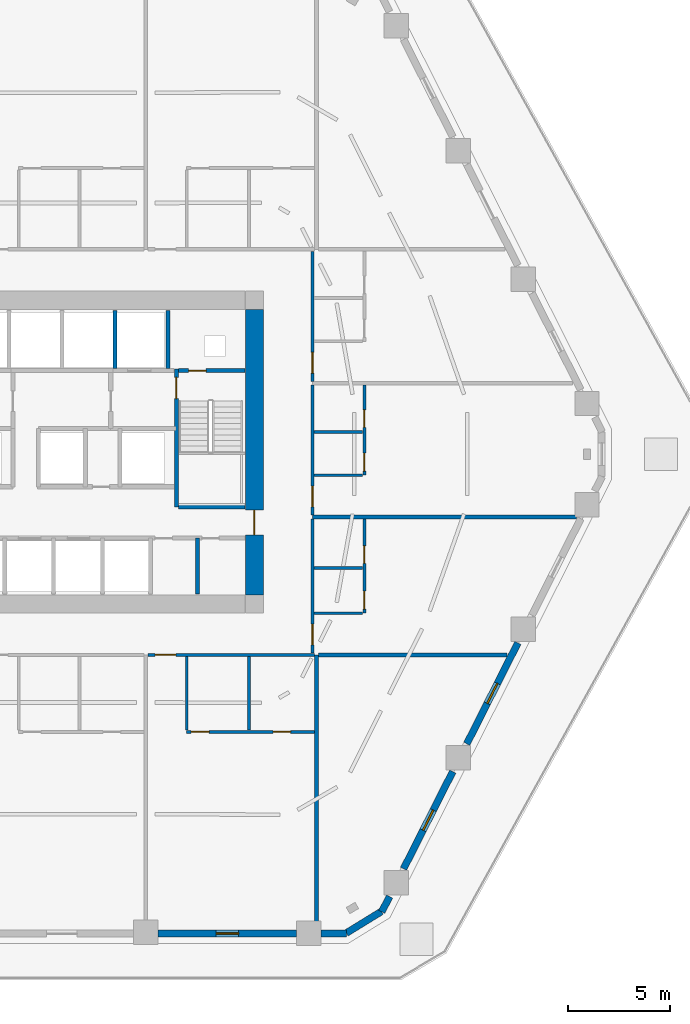
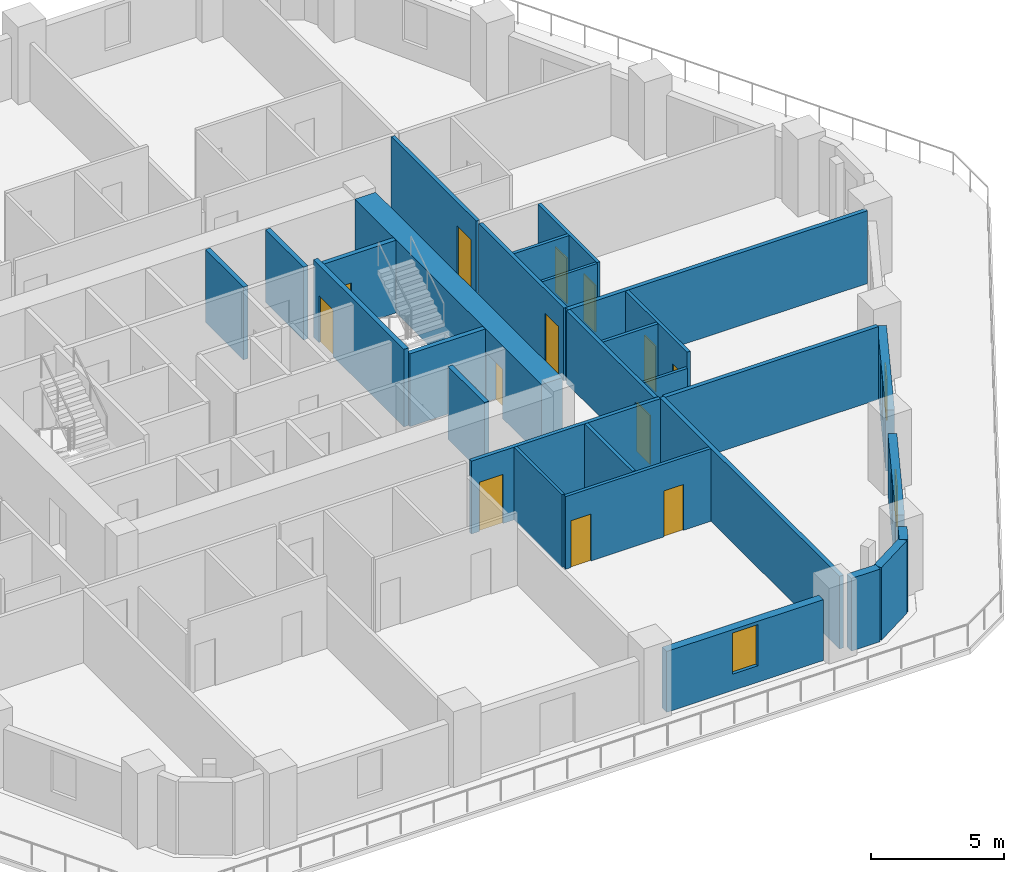
# One storey, part 5 of 10: 29 walls, 13 doors, 3 windows, 16 openings.
"""IFC4 building model written with IfcOpenShell, lengths in metres."""

from ifc_helpers import new_model, si_unit, direction, frame, frame_2d, origin, place, context, subcontext, project, spatial, rectangle, extrude, material, layer, layer_set, type_object, element, fill, save


model = new_model("IFC4")

# Units and contexts
model_context = context("Model", 3, precision=1e-05, world=origin(), true_north=direction((0.0, 1.0)))
body_context = subcontext(model_context, "Body", "Model", "MODEL_VIEW")
ifc_project = project(units=[si_unit("LENGTHUNIT", "METRE"), si_unit("AREAUNIT", "SQUARE_METRE"), si_unit("VOLUMEUNIT", "CUBIC_METRE"), si_unit("PLANEANGLEUNIT", "RADIAN"), si_unit("MASSUNIT", "GRAM", prefix="KILO")], contexts=[model_context])

# Site, building, storey
site_placement = place(None, origin())
site = spatial("IfcSite", under=ifc_project, at=site_placement, CompositionType="ELEMENT")
building_placement = place(site_placement, origin())
building = spatial("IfcBuilding", under=site, at=building_placement, Name="Cinnabar Lancet Tower", CompositionType="ELEMENT")
storey_placement = place(building_placement, frame((0.0, 0.0, 24.89990234375)))
storey = spatial("IfcBuildingStorey", under=building, at=storey_placement, Name="L05", CompositionType="ELEMENT", Elevation=24.89990234375)

# Wall, opening, door
ifc_material_1 = material(Name="Acoustic twin-stud gypsum partition", Category="gypsum")
ifc_layer_1 = layer(ifc_material_1, 0.159912109375)
ifc_layer_set_1 = layer_set([ifc_layer_1], Name="Acoustic twin-stud gypsum partition")
wall_type_1 = type_object("IfcWallType", Name="ARC-WL-CORR-160", PredefinedType="PARTITIONING", material=ifc_layer_set_1)
wall_1_placement = place(storey_placement, frame((36.616943359375, 15.949951171875, 0.0), z_axis=(0.0, 0.0, 1.0), x_axis=(1.0, 0.0, 0.0)))
wall_1 = element("IfcWall", 1, at=wall_1_placement, inside=storey, type_object=wall_type_1, Name="L05 Unit S03 Corridor Wall", PredefinedType="PARTITIONING", context=body_context, shape_type="SweptSolid", body=[
    extrude(rectangle(XDim=8.18798828125, YDim=0.159912109375, at=frame_2d((4.093994140625, 0.0))), origin(), (0.0, 0.0, 1.0), 3.330078125),
])
opening_1_placement = place(wall_1_placement, frame((0.35498046875, 0.0, 0.0)))
opening_1 = element("IfcOpeningElement", 2, at=opening_1_placement, cuts=wall_1, Name="Opening UD-01", PredefinedType="OPENING", context=body_context, shape_type="SweptSolid", body=[
    extrude(rectangle(XDim=1.02001953125, YDim=2.25, at=frame_2d((0.510009765625, 1.125))), frame((0.0, 0.08984375, 0.0), z_axis=(0.0, -1.0, 0.0), x_axis=(1.0, 0.0, 0.0)), (0.0, 0.0, 1.0), 0.179931640625),
])
ifc_material_2 = material(Name="Solid timber fire-rated apartment entrance door", Category="wood")
door_type_1 = type_object("IfcDoorType", Name="ARC-DR-UNIT", OperationType="NOTDEFINED", PredefinedType="DOOR", material=ifc_material_2)
door_1_placement = place(opening_1_placement, origin())
door_1 = element("IfcDoor", 3, at=door_1_placement, inside=storey, type_object=door_type_1, Name="DR-L05-S03-ENT", OperationType="SINGLE_SWING_LEFT", OverallHeight=2.25, OverallWidth=1.02001953125, PredefinedType="DOOR", context=body_context, shape_type="SweptSolid", body=[
    extrude(rectangle(XDim=1.02001953125, YDim=2.25, at=frame_2d((0.510009765625, 1.125))), frame((0.0, 0.02490234375, 0.0), z_axis=(0.0, -1.0, 0.0), x_axis=(1.0, 0.0, 0.0)), (0.0, 0.0, 1.0), 0.050048828125),
])
fill(opening_1, door_1)

wall_2_placement = place(storey_placement, frame((44.699951171875, 16.044921875, 0.0), z_axis=(0.0, 0.0, 1.0), x_axis=(0.0, 1.0, 0.0)))
wall_2 = element("IfcWall", 4, at=wall_2_placement, inside=storey, type_object=wall_type_1, Name="UW-L05-E01-COR", PredefinedType="PARTITIONING", context=body_context, shape_type="SweptSolid", body=[
    extrude(rectangle(XDim=6.576171875, YDim=0.159912109375, at=frame_2d((3.2880859375, 0.0))), origin(), (0.0, 0.0, 1.0), 3.330078125),
])
opening_2_placement = place(wall_2_placement, frame((0.39990234375, 0.0, 0.0)))
opening_2 = element("IfcOpeningElement", 5, at=opening_2_placement, cuts=wall_2, Name="Opening UD-01", PredefinedType="OPENING", context=body_context, shape_type="SweptSolid", body=[
    extrude(rectangle(XDim=1.02001953125, YDim=2.25, at=frame_2d((0.510009765625, 1.125))), frame((0.0, 0.08984375, 0.0), z_axis=(0.0, -1.0, 0.0), x_axis=(1.0, 0.0, 0.0)), (0.0, 0.0, 1.0), 0.179931640625),
])
door_2_placement = place(opening_2_placement, origin())
door_2 = element("IfcDoor", 6, at=door_2_placement, inside=storey, type_object=door_type_1, Name="DR-L05-E01-ENT", OperationType="SINGLE_SWING_RIGHT", OverallHeight=2.25, OverallWidth=1.02001953125, PredefinedType="DOOR", context=body_context, shape_type="SweptSolid", body=[
    extrude(rectangle(XDim=1.02001953125, YDim=2.25, at=frame_2d((0.510009765625, 1.125))), frame((0.0, 0.02490234375, 0.0), z_axis=(0.0, -1.0, 0.0), x_axis=(1.0, 0.0, 0.0)), (0.0, 0.0, 1.0), 0.050048828125),
])
fill(opening_2, door_2)

wall_3_placement = place(storey_placement, frame((44.699951171875, 22.81103515625, 0.0), z_axis=(0.0, 0.0, 1.0), x_axis=(0.0, 1.0, 0.0)))
wall_3 = element("IfcWall", 7, at=wall_3_placement, inside=storey, type_object=wall_type_1, Name="UW-L05-E02-COR", PredefinedType="PARTITIONING", context=body_context, shape_type="SweptSolid", body=[
    extrude(rectangle(XDim=6.376953125, YDim=0.159912109375, at=frame_2d((3.1884765625, 0.0))), origin(), (0.0, 0.0, 1.0), 3.330078125),
])
opening_3_placement = place(wall_3_placement, frame((0.39990234375, 0.0, 0.0)))
opening_3 = element("IfcOpeningElement", 8, at=opening_3_placement, cuts=wall_3, Name="Opening UD-01", PredefinedType="OPENING", context=body_context, shape_type="SweptSolid", body=[
    extrude(rectangle(XDim=1.02001953125, YDim=2.25, at=frame_2d((0.510009765625, 1.125))), frame((0.0, 0.08984375, 0.0), z_axis=(0.0, -1.0, 0.0), x_axis=(1.0, 0.0, 0.0)), (0.0, 0.0, 1.0), 0.179931640625),
])
door_3_placement = place(opening_3_placement, origin())
door_3 = element("IfcDoor", 9, at=door_3_placement, inside=storey, type_object=door_type_1, Name="DR-L05-E02-ENT", OperationType="SINGLE_SWING_LEFT", OverallHeight=2.25, OverallWidth=1.02001953125, PredefinedType="DOOR", context=body_context, shape_type="SweptSolid", body=[
    extrude(rectangle(XDim=1.02001953125, YDim=2.25, at=frame_2d((0.510009765625, 1.125))), frame((0.0, 0.02490234375, 0.0), z_axis=(0.0, -1.0, 0.0), x_axis=(1.0, 0.0, 0.0)), (0.0, 0.0, 1.0), 0.050048828125),
])
fill(opening_3, door_3)

wall_4_placement = place(storey_placement, frame((44.699951171875, 29.3779296875, 0.0), z_axis=(0.0, 0.0, 1.0), x_axis=(0.0, 1.0, 0.0)))
wall_4 = element("IfcWall", 10, at=wall_4_placement, inside=storey, type_object=wall_type_1, Name="UW-L05-E03-COR", PredefinedType="PARTITIONING", context=body_context, shape_type="SweptSolid", body=[
    extrude(rectangle(XDim=6.376953125, YDim=0.159912109375, at=frame_2d((3.1884765625, 0.0))), origin(), (0.0, 0.0, 1.0), 3.330078125),
])
opening_4_placement = place(wall_4_placement, frame((0.39990234375, 0.0, 0.0)))
opening_4 = element("IfcOpeningElement", 11, at=opening_4_placement, cuts=wall_4, Name="Opening UD-01", PredefinedType="OPENING", context=body_context, shape_type="SweptSolid", body=[
    extrude(rectangle(XDim=1.02001953125, YDim=2.25, at=frame_2d((0.510009765625, 1.125))), frame((0.0, 0.08984375, 0.0), z_axis=(0.0, -1.0, 0.0), x_axis=(1.0, 0.0, 0.0)), (0.0, 0.0, 1.0), 0.179931640625),
])
door_4_placement = place(opening_4_placement, origin())
door_4 = element("IfcDoor", 12, at=door_4_placement, inside=storey, type_object=door_type_1, Name="DR-L05-E03-ENT", OperationType="SINGLE_SWING_RIGHT", OverallHeight=2.25, OverallWidth=1.02001953125, PredefinedType="DOOR", context=body_context, shape_type="SweptSolid", body=[
    extrude(rectangle(XDim=1.02001953125, YDim=2.25, at=frame_2d((0.510009765625, 1.125))), frame((0.0, 0.02490234375, 0.0), z_axis=(0.0, -1.0, 0.0), x_axis=(1.0, 0.0, 0.0)), (0.0, 0.0, 1.0), 0.050048828125),
])
fill(opening_4, door_4)

# Walls
ifc_material_3 = material(Name="Fire-rated twin-frame acoustic drywall", Category="gypsum")
ifc_layer_2 = layer(ifc_material_3, 0.179931640625)
ifc_layer_set_2 = layer_set([ifc_layer_2], Name="Fire-rated twin-frame acoustic drywall")
wall_type_2 = type_object("IfcWallType", Name="ARC-WL-PARTY-180", PredefinedType="PARTITIONING", material=ifc_layer_set_2)
wall_5_placement = place(storey_placement, frame((44.89990234375, 2.455078125, 0.0), z_axis=(0.0, 0.0, 1.0), x_axis=(0.0, 1.0, 0.0)))
element("IfcWall", 13, at=wall_5_placement, inside=storey, type_object=wall_type_2, Name="PW-L05-SPTY-449", PredefinedType="PARTITIONING", context=body_context, shape_type="SweptSolid", body=[
    extrude(rectangle(XDim=13.494873046875, YDim=0.179931640625, at=frame_2d((6.74755859375, 0.0))), origin(), (0.0, 0.0, 1.0), 3.330078125),
])
wall_6_placement = place(storey_placement, frame((44.9951171875, 15.949951171875, 0.0), z_axis=(0.0, 0.0, 1.0), x_axis=(1.0, 0.0, 0.0)))
element("IfcWall", 14, at=wall_6_placement, inside=storey, type_object=wall_type_2, Name="PW-L05-ESB", PredefinedType="PARTITIONING", context=body_context, shape_type="SweptSolid", body=[
    extrude(rectangle(XDim=9.240966796875, YDim=0.179931640625, at=frame_2d((4.62060546875, 0.0))), origin(), (0.0, 0.0, 1.0), 3.330078125),
])
wall_7_placement = place(storey_placement, frame((44.699951171875, 22.716064453125, 0.0), z_axis=(0.0, 0.0, 1.0), x_axis=(1.0, 0.0, 0.0)))
element("IfcWall", 15, at=wall_7_placement, inside=storey, type_object=wall_type_2, Name="PW-L05-EPTY-1", PredefinedType="PARTITIONING", context=body_context, shape_type="SweptSolid", body=[
    extrude(rectangle(XDim=12.9599609375, YDim=0.179931640625, at=frame_2d((6.47998046875, 0.0))), origin(), (0.0, 0.0, 1.0), 3.330078125),
])
ifc_material_4 = material(Name="Autoclaved aerated concrete blockwork", Category="masonry")
ifc_layer_3 = layer(ifc_material_4, 0.199951171875)
ifc_layer_set_3 = layer_set([ifc_layer_3], Name="Autoclaved aerated concrete blockwork")
wall_type_3 = type_object("IfcWallType", Name="ARC-WL-SHAFT-200", PredefinedType="PLUMBINGWALL", material=ifc_layer_set_3)
wall_8_placement = place(storey_placement, frame((38.125, 23.199951171875, 0.0), z_axis=(0.0, 0.0, 1.0), x_axis=(1.0, 0.0, 0.0)))
element("IfcWall", 16, at=wall_8_placement, inside=storey, type_object=wall_type_3, Name="CW-ST2S-L05", PredefinedType="PLUMBINGWALL", context=body_context, shape_type="SweptSolid", body=[
    extrude(rectangle(XDim=3.27001953125, YDim=0.199951171875, at=frame_2d((1.635009765625, 0.0))), origin(), (0.0, 0.0, 1.0), 3.330078125),
])

# Wall, opening, door
wall_9_placement = place(storey_placement, frame((38.125, 29.89990234375, 0.0), z_axis=(0.0, 0.0, 1.0), x_axis=(1.0, 0.0, 0.0)))
wall_9 = element("IfcWall", 17, at=wall_9_placement, inside=storey, type_object=wall_type_3, Name="CW-NSH-E-L05", PredefinedType="PLUMBINGWALL", context=body_context, shape_type="SweptSolid", body=[
    extrude(rectangle(XDim=3.27001953125, YDim=0.199951171875, at=frame_2d((1.635009765625, 0.0))), origin(), (0.0, 0.0, 1.0), 3.330078125),
])
opening_5_placement = place(wall_9_placement, frame((0.5, 0.0, 0.0)))
opening_5 = element("IfcOpeningElement", 18, at=opening_5_placement, cuts=wall_9, Name="Opening PD-02", PredefinedType="OPENING", context=body_context, shape_type="SweptSolid", body=[
    extrude(rectangle(XDim=0.85009765625, YDim=2.050048828125, at=frame_2d((0.425048828125, 1.02490234375))), frame((0.0, 0.10986328125, 0.0), z_axis=(0.0, -1.0, 0.0), x_axis=(1.0, 0.0, 0.0)), (0.0, 0.0, 1.0), 0.219970703125),
])
ifc_material_5 = material(Name="Fire-rated steel riser access door", Category="steel")
door_type_2 = type_object("IfcDoorType", Name="ARC-DR-RISER", OperationType="NOTDEFINED", PredefinedType="DOOR", material=ifc_material_5)
door_5_placement = place(opening_5_placement, origin())
door_5 = element("IfcDoor", 19, at=door_5_placement, inside=storey, type_object=door_type_2, Name="L05 East Riser Access Door", OperationType="SINGLE_SWING_RIGHT", OverallHeight=2.050048828125, OverallWidth=0.85009765625, PredefinedType="DOOR", context=body_context, shape_type="SweptSolid", body=[
    extrude(rectangle(XDim=0.85009765625, YDim=2.050048828125, at=frame_2d((0.425048828125, 1.02490234375))), frame((0.0, 0.02490234375, 0.0), z_axis=(0.0, -1.0, 0.0), x_axis=(1.0, 0.0, 0.0)), (0.0, 0.0, 1.0), 0.050048828125),
])
fill(opening_5, door_5)

# Walls
for number, where, z_axis, x_axis, name in (
    (20, (35.0, 30.0, 0.0), (0.0, 0.0, 1.0), (0.0, 1.0, 0.0), "CW-NSH-D4-L05"),
    (21, (37.60009765625, 30.0, 0.0), (0.0, 0.0, 1.0), (0.0, 1.0, 0.0), "CW-NSH-D5-L05"),
):
    element("IfcWall", number, at=place(storey_placement, frame(where, z_axis=z_axis, x_axis=x_axis)), inside=storey, type_object=wall_type_3, Name=name, PredefinedType="PLUMBINGWALL", context=body_context, shape_type="SweptSolid", body=[
        extrude(rectangle(XDim=2.85009765625, YDim=0.199951171875, at=frame_2d((1.425048828125, 0.0))), origin(), (0.0, 0.0, 1.0), 3.330078125),
    ])
wall_10_placement = place(storey_placement, frame((39.050048828125, 18.949951171875, 0.0), z_axis=(0.0, 0.0, 1.0), x_axis=(0.0, 1.0, 0.0)))
element("IfcWall", 22, at=wall_10_placement, inside=storey, type_object=wall_type_3, Name="CW-SB-SE-L05", PredefinedType="PLUMBINGWALL", context=body_context, shape_type="SweptSolid", body=[
    extrude(rectangle(XDim=2.72998046875, YDim=0.199951171875, at=frame_2d((1.364990234375, 0.0))), origin(), (0.0, 0.0, 1.0), 3.330078125),
])
ifc_material_6 = material(Name="Gypsum plasterboard stud partition", Category="gypsum")
ifc_layer_4 = layer(ifc_material_6, 0.125)
ifc_layer_set_4 = layer_set([ifc_layer_4], Name="Gypsum plasterboard stud partition")
wall_type_4 = type_object("IfcWallType", Name="ARC-WL-UNIT-125", PredefinedType="PARTITIONING", material=ifc_layer_set_4)
wall_11_placement = place(storey_placement, frame((38.52197265625, 12.27587890625, 0.0), z_axis=(0.0, 0.0, 1.0), x_axis=(0.0, 1.0, 0.0)))
element("IfcWall", 23, at=wall_11_placement, inside=storey, type_object=wall_type_4, Name="UW-L05-S03-FOYE", PredefinedType="PARTITIONING", context=body_context, shape_type="SweptSolid", body=[
    extrude(rectangle(XDim=3.589111328125, YDim=0.125, at=frame_2d((1.79443359375, 0.0))), origin(), (0.0, 0.0, 1.0), 3.330078125),
])
wall_12_placement = place(storey_placement, frame((44.784912109375, 18.0, 0.0), z_axis=(0.0, 0.0, 1.0), x_axis=(1.0, 0.0, 0.0)))
element("IfcWall", 24, at=wall_12_placement, inside=storey, type_object=wall_type_4, Name="UW-L05-E01-FOYN", PredefinedType="PARTITIONING", context=body_context, shape_type="SweptSolid", body=[
    extrude(rectangle(XDim=2.380126953125, YDim=0.125, at=frame_2d((1.18994140625, 0.0))), origin(), (0.0, 0.0, 1.0), 2.63720703125),
])
wall_13_placement = place(storey_placement, frame((44.784912109375, 24.76611328125, 0.0), z_axis=(0.0, 0.0, 1.0), x_axis=(1.0, 0.0, 0.0)))
element("IfcWall", 25, at=wall_13_placement, inside=storey, type_object=wall_type_4, Name="UW-L05-E02-FOYN", PredefinedType="PARTITIONING", context=body_context, shape_type="SweptSolid", body=[
    extrude(rectangle(XDim=2.380126953125, YDim=0.125, at=frame_2d((1.18994140625, 0.0))), origin(), (0.0, 0.0, 1.0), 3.330078125),
])

# Wall, openings, doors
ifc_material_7 = material(Name="Moisture-resistant cement-board plumbing wall", Category="masonry")
ifc_layer_5 = layer(ifc_material_7, 0.139892578125)
ifc_layer_set_5 = layer_set([ifc_layer_5], Name="Moisture-resistant cement-board plumbing wall")
wall_type_5 = type_object("IfcWallType", Name="ARC-WL-WET-140", PredefinedType="PLUMBINGWALL", material=ifc_layer_set_5)
wall_14_placement = place(storey_placement, frame((38.52197265625, 12.1708984375, 0.0), z_axis=(0.0, 0.0, 1.0), x_axis=(1.0, 0.0, 0.0)))
wall_14 = element("IfcWall", 26, at=wall_14_placement, inside=storey, type_object=wall_type_5, Name="UW-L05-S03-SPL", PredefinedType="PLUMBINGWALL", context=body_context, shape_type="SweptSolid", body=[
    extrude(rectangle(XDim=6.282958984375, YDim=0.139892578125, at=frame_2d((3.1416015625, 0.0))), origin(), (0.0, 0.0, 1.0), 3.330078125),
])
opening_6_placement = place(wall_14_placement, frame((4.2470703125, 0.0, 0.0)))
opening_6 = element("IfcOpeningElement", 27, at=opening_6_placement, cuts=wall_14, Name="Opening BD-01", PredefinedType="OPENING", context=body_context, shape_type="SweptSolid", body=[
    extrude(rectangle(XDim=0.860107421875, YDim=2.10009765625, at=frame_2d((0.43017578125, 1.050048828125))), frame((0.0, 0.079833984375, 0.0), z_axis=(0.0, -1.0, 0.0), x_axis=(1.0, 0.0, 0.0)), (0.0, 0.0, 1.0), 0.159912109375),
])
opening_7_placement = place(wall_14_placement, frame((0.219970703125, 0.0, 0.0)))
opening_7 = element("IfcOpeningElement", 28, at=opening_7_placement, cuts=wall_14, Name="Opening RD-02", PredefinedType="OPENING", context=body_context, shape_type="SweptSolid", body=[
    extrude(rectangle(XDim=0.8798828125, YDim=2.14990234375, at=frame_2d((0.43994140625, 1.074951171875))), frame((0.0, 0.079833984375, 0.0), z_axis=(0.0, -1.0, 0.0), x_axis=(1.0, 0.0, 0.0)), (0.0, 0.0, 1.0), 0.159912109375),
])
ifc_material_8 = material(Name="Moisture-resistant timber bathroom door", Category="wood")
door_type_3 = type_object("IfcDoorType", Name="ARC-DR-BATH", OperationType="NOTDEFINED", PredefinedType="DOOR", material=ifc_material_8)
door_6_placement = place(opening_6_placement, origin())
door_6 = element("IfcDoor", 29, at=door_6_placement, inside=storey, type_object=door_type_3, Name="DR-L05-S03-BTH", OperationType="SINGLE_SWING_LEFT", OverallHeight=2.10009765625, OverallWidth=0.860107421875, PredefinedType="DOOR", context=body_context, shape_type="SweptSolid", body=[
    extrude(rectangle(XDim=0.860107421875, YDim=2.10009765625, at=frame_2d((0.43017578125, 1.050048828125))), frame((0.0, 0.02490234375, 0.0), z_axis=(0.0, -1.0, 0.0), x_axis=(1.0, 0.0, 0.0)), (0.0, 0.0, 1.0), 0.050048828125),
])
fill(opening_6, door_6)
ifc_material_9 = material(Name="Engineered timber study door", Category="wood")
door_type_4 = type_object("IfcDoorType", Name="ARC-DR-STUDY", OperationType="NOTDEFINED", PredefinedType="DOOR", material=ifc_material_9)
door_7_placement = place(opening_7_placement, origin())
door_7 = element("IfcDoor", 30, at=door_7_placement, inside=storey, type_object=door_type_4, Name="DR-L05-S03-KIT", OperationType="SINGLE_SWING_RIGHT", OverallHeight=2.14990234375, OverallWidth=0.8798828125, PredefinedType="DOOR", context=body_context, shape_type="SweptSolid", body=[
    extrude(rectangle(XDim=0.8798828125, YDim=2.14990234375, at=frame_2d((0.43994140625, 1.074951171875))), frame((0.0, 0.02490234375, 0.0), z_axis=(0.0, -1.0, 0.0), x_axis=(1.0, 0.0, 0.0)), (0.0, 0.0, 1.0), 0.050048828125),
])
fill(opening_7, door_7)

# Wall
wall_15_placement = place(storey_placement, frame((41.5830078125, 12.27587890625, 0.0), z_axis=(0.0, 0.0, 1.0), x_axis=(0.0, 1.0, 0.0)))
element("IfcWall", 31, at=wall_15_placement, inside=storey, type_object=wall_type_5, Name="UW-L05-S03-KDV", PredefinedType="PLUMBINGWALL", context=body_context, shape_type="SweptSolid", body=[
    extrude(rectangle(XDim=3.589111328125, YDim=0.139892578125, at=frame_2d((1.79443359375, 0.0))), origin(), (0.0, 0.0, 1.0), 3.330078125),
])

# Wall, openings, doors
wall_16_placement = place(storey_placement, frame((47.25, 18.0, 0.0), z_axis=(0.0, 0.0, 1.0), x_axis=(0.0, 1.0, 0.0)))
wall_16 = element("IfcWall", 32, at=wall_16_placement, inside=storey, type_object=wall_type_5, Name="UW-L05-E01-SPL", PredefinedType="PLUMBINGWALL", context=body_context, shape_type="SweptSolid", body=[
    extrude(rectangle(XDim=4.62109375, YDim=0.139892578125, at=frame_2d((2.310546875, 0.0))), origin(), (0.0, 0.0, 1.0), 3.330078125),
])
opening_8_placement = place(wall_16_placement, frame((2.43798828125, 0.0, 0.0)))
opening_8 = element("IfcOpeningElement", 33, at=opening_8_placement, cuts=wall_16, Name="Opening BD-01", PredefinedType="OPENING", context=body_context, shape_type="SweptSolid", body=[
    extrude(rectangle(XDim=0.860107421875, YDim=2.10009765625, at=frame_2d((0.43017578125, 1.050048828125))), frame((0.0, 0.079833984375, 0.0), z_axis=(0.0, -1.0, 0.0), x_axis=(1.0, 0.0, 0.0)), (0.0, 0.0, 1.0), 0.159912109375),
])
opening_9_placement = place(wall_16_placement, frame((0.199951171875, 0.0, 0.0)))
opening_9 = element("IfcOpeningElement", 34, at=opening_9_placement, cuts=wall_16, Name="Opening RD-02", PredefinedType="OPENING", context=body_context, shape_type="SweptSolid", body=[
    extrude(rectangle(XDim=0.8798828125, YDim=2.14990234375, at=frame_2d((0.43994140625, 1.074951171875))), frame((0.0, 0.079833984375, 0.0), z_axis=(0.0, -1.0, 0.0), x_axis=(1.0, 0.0, 0.0)), (0.0, 0.0, 1.0), 0.159912109375),
])
door_8_placement = place(opening_8_placement, origin())
door_8 = element("IfcDoor", 35, at=door_8_placement, inside=storey, type_object=door_type_3, Name="DR-L05-E01-BTH", OperationType="SINGLE_SWING_RIGHT", OverallHeight=2.10009765625, OverallWidth=0.860107421875, PredefinedType="DOOR", context=body_context, shape_type="SweptSolid", body=[
    extrude(rectangle(XDim=0.860107421875, YDim=2.10009765625, at=frame_2d((0.43017578125, 1.050048828125))), frame((0.0, 0.02490234375, 0.0), z_axis=(0.0, -1.0, 0.0), x_axis=(1.0, 0.0, 0.0)), (0.0, 0.0, 1.0), 0.050048828125),
])
fill(opening_8, door_8)
door_9_placement = place(opening_9_placement, origin())
door_9 = element("IfcDoor", 36, at=door_9_placement, inside=storey, type_object=door_type_4, Name="DR-L05-E01-KIT", OperationType="SINGLE_SWING_LEFT", OverallHeight=2.14990234375, OverallWidth=0.8798828125, PredefinedType="DOOR", context=body_context, shape_type="SweptSolid", body=[
    extrude(rectangle(XDim=0.8798828125, YDim=2.14990234375, at=frame_2d((0.43994140625, 1.074951171875))), frame((0.0, 0.02490234375, 0.0), z_axis=(0.0, -1.0, 0.0), x_axis=(1.0, 0.0, 0.0)), (0.0, 0.0, 1.0), 0.050048828125),
])
fill(opening_9, door_9)

# Wall
wall_17_placement = place(storey_placement, frame((44.784912109375, 20.218017578125, 0.0), z_axis=(0.0, 0.0, 1.0), x_axis=(1.0, 0.0, 0.0)))
element("IfcWall", 37, at=wall_17_placement, inside=storey, type_object=wall_type_5, Name="UW-L05-E01-KDV", PredefinedType="PLUMBINGWALL", context=body_context, shape_type="SweptSolid", body=[
    extrude(rectangle(XDim=2.380126953125, YDim=0.139892578125, at=frame_2d((1.18994140625, 0.0))), origin(), (0.0, 0.0, 1.0), 3.330078125),
])

# Wall, openings, doors
wall_18_placement = place(storey_placement, frame((47.25, 24.76611328125, 0.0), z_axis=(0.0, 0.0, 1.0), x_axis=(0.0, 1.0, 0.0)))
wall_18 = element("IfcWall", 38, at=wall_18_placement, inside=storey, type_object=wall_type_5, Name="UW-L05-E02-SPL", PredefinedType="PLUMBINGWALL", context=body_context, shape_type="SweptSolid", body=[
    extrude(rectangle(XDim=4.421875, YDim=0.139892578125, at=frame_2d((2.2109375, 0.0))), origin(), (0.0, 0.0, 1.0), 3.330078125),
])
opening_10_placement = place(wall_18_placement, frame((2.343017578125, 0.0, 0.0)))
opening_10 = element("IfcOpeningElement", 39, at=opening_10_placement, cuts=wall_18, Name="Opening BD-01", PredefinedType="OPENING", context=body_context, shape_type="SweptSolid", body=[
    extrude(rectangle(XDim=0.860107421875, YDim=2.10009765625, at=frame_2d((0.43017578125, 1.050048828125))), frame((0.0, 0.079833984375, 0.0), z_axis=(0.0, -1.0, 0.0), x_axis=(1.0, 0.0, 0.0)), (0.0, 0.0, 1.0), 0.159912109375),
])
opening_11_placement = place(wall_18_placement, frame((0.199951171875, 0.0, 0.0)))
opening_11 = element("IfcOpeningElement", 40, at=opening_11_placement, cuts=wall_18, Name="Opening RD-02", PredefinedType="OPENING", context=body_context, shape_type="SweptSolid", body=[
    extrude(rectangle(XDim=0.8798828125, YDim=2.14990234375, at=frame_2d((0.43994140625, 1.074951171875))), frame((0.0, 0.079833984375, 0.0), z_axis=(0.0, -1.0, 0.0), x_axis=(1.0, 0.0, 0.0)), (0.0, 0.0, 1.0), 0.159912109375),
])
door_10_placement = place(opening_10_placement, origin())
door_10 = element("IfcDoor", 41, at=door_10_placement, inside=storey, type_object=door_type_3, Name="DR-L05-E02-BTH", OperationType="SINGLE_SWING_LEFT", OverallHeight=2.10009765625, OverallWidth=0.860107421875, PredefinedType="DOOR", context=body_context, shape_type="SweptSolid", body=[
    extrude(rectangle(XDim=0.860107421875, YDim=2.10009765625, at=frame_2d((0.43017578125, 1.050048828125))), frame((0.0, 0.02490234375, 0.0), z_axis=(0.0, -1.0, 0.0), x_axis=(1.0, 0.0, 0.0)), (0.0, 0.0, 1.0), 0.050048828125),
])
fill(opening_10, door_10)
door_11_placement = place(opening_11_placement, origin())
door_11 = element("IfcDoor", 42, at=door_11_placement, inside=storey, type_object=door_type_4, Name="DR-L05-E02-KIT", OperationType="SINGLE_SWING_RIGHT", OverallHeight=2.14990234375, OverallWidth=0.8798828125, PredefinedType="DOOR", context=body_context, shape_type="SweptSolid", body=[
    extrude(rectangle(XDim=0.8798828125, YDim=2.14990234375, at=frame_2d((0.43994140625, 1.074951171875))), frame((0.0, 0.02490234375, 0.0), z_axis=(0.0, -1.0, 0.0), x_axis=(1.0, 0.0, 0.0)), (0.0, 0.0, 1.0), 0.050048828125),
])
fill(opening_11, door_11)

# Walls
wall_19_placement = place(storey_placement, frame((44.784912109375, 26.888916015625, 0.0), z_axis=(0.0, 0.0, 1.0), x_axis=(1.0, 0.0, 0.0)))
element("IfcWall", 43, at=wall_19_placement, inside=storey, type_object=wall_type_5, Name="UW-L05-E02-KDV", PredefinedType="PLUMBINGWALL", context=body_context, shape_type="SweptSolid", body=[
    extrude(rectangle(XDim=2.380126953125, YDim=0.139892578125, at=frame_2d((1.18994140625, 0.0))), origin(), (0.0, 0.0, 1.0), 3.330078125),
])
ifc_material_10 = material(Name="Cinnabar red clay brick", Category="masonry")
ifc_layer_6 = layer(ifc_material_10, 0.340087890625)
ifc_layer_set_6 = layer_set([ifc_layer_6], Name="Cinnabar red clay brick")
wall_type_6 = type_object("IfcWallType", Name="ENV-WL-BRK-RED-340", PredefinedType="STANDARD", material=ifc_layer_set_6)
wall_20_placement = place(storey_placement, frame((46.361083984375, 2.304931640625, 0.0), z_axis=(0.0, 0.0, 1.0), x_axis=(0.851816122478, 0.523840904748, 0.0)))
element("IfcWall", 44, at=wall_20_placement, inside=storey, type_object=wall_type_6, Name="L05 Chamfered Corner Brick Pier 2.1", PredefinedType="STANDARD", context=body_context, shape_type="SweptSolid", body=[
    extrude(rectangle(XDim=2.01806640625, YDim=0.340087890625, at=frame_2d((1.009033203125, 0.0))), origin(), (0.0, 0.0, 1.0), 3.330078125),
])

# Wall, opening, window
wall_21_placement = place(storey_placement, frame((37.1259765625, 2.280029296875, 0.0), z_axis=(0.0, 0.0, 1.0), x_axis=(1.0, 0.0, 0.0)))
wall_21 = element("IfcWall", 45, at=wall_21_placement, inside=storey, type_object=wall_type_6, Name="L05 Face 1 Masonry Bay Wall 4", PredefinedType="STANDARD", context=body_context, shape_type="SweptSolid", body=[
    extrude(rectangle(XDim=6.787109375, YDim=0.340087890625, at=frame_2d((3.3935546875, 0.0))), origin(), (0.0, 0.0, 1.0), 2.787109375),
])
opening_12_placement = place(wall_21_placement, frame((2.843017578125, 0.0, 0.75)))
opening_12 = element("IfcOpeningElement", 46, at=opening_12_placement, cuts=wall_21, Name="Opening WN-04", PredefinedType="OPENING", context=body_context, shape_type="SweptSolid", body=[
    extrude(rectangle(XDim=1.10009765625, YDim=1.886962890625, at=frame_2d((0.550048828125, 0.943359375))), frame((0.0, 0.179931640625, 0.0), z_axis=(0.0, -1.0, 0.0), x_axis=(1.0, 0.0, 0.0)), (0.0, 0.0, 1.0), 0.360107421875),
])
ifc_material_11 = material(Name="Thermally broken bronze-anodized aluminium tall lancet window", Category="aluminium")
window_type = type_object("IfcWindowType", Name="ENV-WN-LANCET-1100", PartitioningType="SINGLE_PANEL", PredefinedType="WINDOW", material=ifc_material_11)
window_1_placement = place(opening_12_placement, origin())
window_1 = element("IfcWindow", 47, at=window_1_placement, inside=storey, type_object=window_type, Name="L05 Face 1 Gothic Lancet Window 4", OverallHeight=1.886962890625, OverallWidth=1.10009765625, PartitioningType="SINGLE_PANEL", PredefinedType="WINDOW", context=body_context, shape_type="SweptSolid", body=[
    extrude(rectangle(XDim=1.10009765625, YDim=1.886962890625, at=frame_2d((0.550048828125, 0.943359375))), frame((0.0, 0.030029296875, 0.0), z_axis=(0.0, -1.0, 0.0), x_axis=(1.0, 0.0, 0.0)), (0.0, 0.0, 1.0), 0.06005859375),
])
fill(opening_12, window_1)

# Walls
wall_22_placement = place(storey_placement, frame((45.12109375, 2.280029296875, 0.0), z_axis=(0.0, 0.0, 1.0), x_axis=(1.0, 0.0, 0.0)))
element("IfcWall", 48, at=wall_22_placement, inside=storey, type_object=wall_type_6, Name="L05 Face 1 Masonry Bay Wall 5", PredefinedType="STANDARD", context=body_context, shape_type="SweptSolid", body=[
    extrude(rectangle(XDim=1.244873046875, YDim=0.340087890625, at=frame_2d((0.62255859375, 0.0))), origin(), (0.0, 0.0, 1.0), 3.330078125),
])
wall_23_placement = place(storey_placement, frame((48.10009765625, 3.345947265625, 0.0), z_axis=(0.0, 0.0, 1.0), x_axis=(0.45187807258, 0.892079709175, 0.0)))
element("IfcWall", 49, at=wall_23_placement, inside=storey, type_object=wall_type_6, Name="L05 Face 2 Masonry Bay Wall 1", PredefinedType="STANDARD", context=body_context, shape_type="SweptSolid", body=[
    extrude(rectangle(XDim=0.83642578125, YDim=0.340087890625, at=frame_2d((0.418212890625, 0.0))), origin(), (0.0, 0.0, 1.0), 3.330078125),
])

# Wall, opening, window
wall_24_placement = place(storey_placement, frame((49.166015625, 5.4541015625, 0.0), z_axis=(0.0, 0.0, 1.0), x_axis=(0.451697561555, 0.892171123095, 0.0)))
wall_24 = element("IfcWall", 50, at=wall_24_placement, inside=storey, type_object=wall_type_6, Name="L05 Face 2 Masonry Bay Wall 2", PredefinedType="STANDARD", context=body_context, shape_type="SweptSolid", body=[
    extrude(rectangle(XDim=5.350830078125, YDim=0.340087890625, at=frame_2d((2.67529296875, 0.0))), origin(), (0.0, 0.0, 1.0), 2.787109375),
])
opening_13_placement = place(wall_24_placement, frame((2.125, 0.0, 0.75)))
opening_13 = element("IfcOpeningElement", 51, at=opening_13_placement, cuts=wall_24, Name="Opening WN-04", PredefinedType="OPENING", context=body_context, shape_type="SweptSolid", body=[
    extrude(rectangle(XDim=1.10009765625, YDim=1.886962890625, at=frame_2d((0.550048828125, 0.943359375))), frame((0.0, 0.179931640625, 0.0), z_axis=(0.0, -1.0, 0.0), x_axis=(1.0, 0.0, 0.0)), (0.0, 0.0, 1.0), 0.360107421875),
])
window_2_placement = place(opening_13_placement, origin())
window_2 = element("IfcWindow", 52, at=window_2_placement, inside=storey, type_object=window_type, Name="L05 Face 2 Gothic Lancet Window 2", OverallHeight=1.886962890625, OverallWidth=1.10009765625, PartitioningType="SINGLE_PANEL", PredefinedType="WINDOW", context=body_context, shape_type="SweptSolid", body=[
    extrude(rectangle(XDim=1.10009765625, YDim=1.886962890625, at=frame_2d((0.550048828125, 0.943359375))), frame((0.0, 0.030029296875, 0.0), z_axis=(0.0, -1.0, 0.0), x_axis=(1.0, 0.0, 0.0)), (0.0, 0.0, 1.0), 0.06005859375),
])
fill(opening_13, window_2)

wall_25_placement = place(storey_placement, frame((52.27099609375, 11.590087890625, 0.0), z_axis=(0.0, 0.0, 1.0), x_axis=(0.451592100298, 0.892224509273, 0.0)))
wall_25 = element("IfcWall", 53, at=wall_25_placement, inside=storey, type_object=wall_type_6, Name="L05 Face 2 Masonry Bay Wall 3", PredefinedType="STANDARD", context=body_context, shape_type="SweptSolid", body=[
    extrude(rectangle(XDim=5.546875, YDim=0.340087890625, at=frame_2d((2.7734375, 0.0))), origin(), (0.0, 0.0, 1.0), 2.787109375),
])
opening_14_placement = place(wall_25_placement, frame((2.222900390625, 0.0, 0.75)))
opening_14 = element("IfcOpeningElement", 54, at=opening_14_placement, cuts=wall_25, Name="Opening WN-04", PredefinedType="OPENING", context=body_context, shape_type="SweptSolid", body=[
    extrude(rectangle(XDim=1.10009765625, YDim=1.886962890625, at=frame_2d((0.550048828125, 0.943359375))), frame((0.0, 0.179931640625, 0.0), z_axis=(0.0, -1.0, 0.0), x_axis=(1.0, 0.0, 0.0)), (0.0, 0.0, 1.0), 0.360107421875),
])
window_3_placement = place(opening_14_placement, origin())
window_3 = element("IfcWindow", 55, at=window_3_placement, inside=storey, type_object=window_type, Name="L05 Face 2 Gothic Lancet Window 3", OverallHeight=1.886962890625, OverallWidth=1.10009765625, PartitioningType="SINGLE_PANEL", PredefinedType="WINDOW", context=body_context, shape_type="SweptSolid", body=[
    extrude(rectangle(XDim=1.10009765625, YDim=1.886962890625, at=frame_2d((0.550048828125, 0.943359375))), frame((0.0, 0.030029296875, 0.0), z_axis=(0.0, -1.0, 0.0), x_axis=(1.0, 0.0, 0.0)), (0.0, 0.0, 1.0), 0.06005859375),
])
fill(opening_14, window_3)

# Wall, opening, door
ifc_material_12 = material(Name="Concrete C80/95", Category="concrete")
ifc_layer_7 = layer(ifc_material_12, 0.89990234375)
ifc_layer_set_7 = layer_set([ifc_layer_7], Name="Concrete C80/95")
wall_type_7 = type_object("IfcWallType", Name="STR-WL-CORE-900", PredefinedType="SHEAR", material=ifc_layer_set_7)
wall_26_placement = place(storey_placement, frame((41.85009765625, 18.89990234375, 0.0), z_axis=(0.0, 0.0, 1.0), x_axis=(0.0, 1.0, 0.0)))
wall_26 = element("IfcWall", 56, at=wall_26_placement, inside=storey, type_object=wall_type_7, Name="L05 Core Shear Wall E", PredefinedType="SHEAR", context=body_context, shape_type="SweptSolid", body=[
    extrude(rectangle(XDim=14.0, YDim=0.89990234375, at=frame_2d((7.0, 0.0))), origin(), (0.0, 0.0, 1.0), 3.330078125),
])
opening_15_placement = place(wall_26_placement, frame((2.93994140625, 0.0, 0.0)))
opening_15 = element("IfcOpeningElement", 57, at=opening_15_placement, cuts=wall_26, Name="Opening FD-02", PredefinedType="OPENING", context=body_context, shape_type="SweptSolid", body=[
    extrude(rectangle(XDim=1.219970703125, YDim=2.25, at=frame_2d((0.60986328125, 1.125))), frame((0.0, 0.4599609375, 0.0), z_axis=(0.0, -1.0, 0.0), x_axis=(1.0, 0.0, 0.0)), (0.0, 0.0, 1.0), 0.919921875),
])
ifc_material_13 = material(Name="Fire-rated double-vision core portal door", Category="wood")
door_type_5 = type_object("IfcDoorType", Name="ARC-DR-CPORT", OperationType="NOTDEFINED", PredefinedType="DOOR", material=ifc_material_13)
door_12_placement = place(opening_15_placement, origin())
door_12 = element("IfcDoor", 58, at=door_12_placement, inside=storey, type_object=door_type_5, Name="L05 East Core Lobby Fire Door", OperationType="SINGLE_SWING_LEFT", OverallHeight=2.25, OverallWidth=1.219970703125, PredefinedType="DOOR", context=body_context, shape_type="SweptSolid", body=[
    extrude(rectangle(XDim=1.219970703125, YDim=2.25, at=frame_2d((0.60986328125, 1.125))), frame((0.0, 0.02490234375, 0.0), z_axis=(0.0, -1.0, 0.0), x_axis=(1.0, 0.0, 0.0)), (0.0, 0.0, 1.0), 0.050048828125),
])
fill(opening_15, door_12)

ifc_material_14 = material(Name="Concrete C50/60", Category="concrete")
ifc_layer_8 = layer(ifc_material_14, 0.199951171875)
ifc_layer_set_8 = layer_set([ifc_layer_8], Name="Concrete C50/60")
wall_type_8 = type_object("IfcWallType", Name="STR-WL-STAIR-200", PredefinedType="SHEAR", material=ifc_layer_set_8)
wall_27_placement = place(storey_placement, frame((38.02001953125, 23.199951171875, 0.0), z_axis=(0.0, 0.0, 1.0), x_axis=(0.0, 1.0, 0.0)))
wall_27 = element("IfcWall", 59, at=wall_27_placement, inside=storey, type_object=wall_type_8, Name="L05 Stair ST-2 Structural Enclosure Wall", PredefinedType="SHEAR", context=body_context, shape_type="SweptSolid", body=[
    extrude(rectangle(XDim=6.780029296875, YDim=0.199951171875, at=frame_2d((3.39013671875, 0.0))), origin(), (0.0, 0.0, 1.0), 3.550048828125),
])
opening_16_placement = place(wall_27_placement, frame((5.320068359375, 0.0, 0.0)))
opening_16 = element("IfcOpeningElement", 60, at=opening_16_placement, cuts=wall_27, Name="Opening SD-01", PredefinedType="OPENING", context=body_context, shape_type="SweptSolid", body=[
    extrude(rectangle(XDim=1.050048828125, YDim=2.14990234375, at=frame_2d((0.52490234375, 1.074951171875))), frame((0.0, 0.10986328125, 0.0), z_axis=(0.0, -1.0, 0.0), x_axis=(1.0, 0.0, 0.0)), (0.0, 0.0, 1.0), 0.219970703125),
])
ifc_material_15 = material(Name="Fire-rated steel stair exit door", Category="steel")
door_type_6 = type_object("IfcDoorType", Name="ARC-DR-STAIR", OperationType="NOTDEFINED", PredefinedType="DOOR", material=ifc_material_15)
door_13_placement = place(opening_16_placement, origin())
door_13 = element("IfcDoor", 61, at=door_13_placement, inside=storey, type_object=door_type_6, Name="L05 Stair ST-2 Fire Door", OperationType="SINGLE_SWING_RIGHT", OverallHeight=2.14990234375, OverallWidth=1.050048828125, PredefinedType="DOOR", context=body_context, shape_type="SweptSolid", body=[
    extrude(rectangle(XDim=1.050048828125, YDim=2.14990234375, at=frame_2d((0.52490234375, 1.074951171875))), frame((0.0, 0.02490234375, 0.0), z_axis=(0.0, -1.0, 0.0), x_axis=(1.0, 0.0, 0.0)), (0.0, 0.0, 1.0), 0.050048828125),
])
fill(opening_16, door_13)

save(model, "model.ifc")
